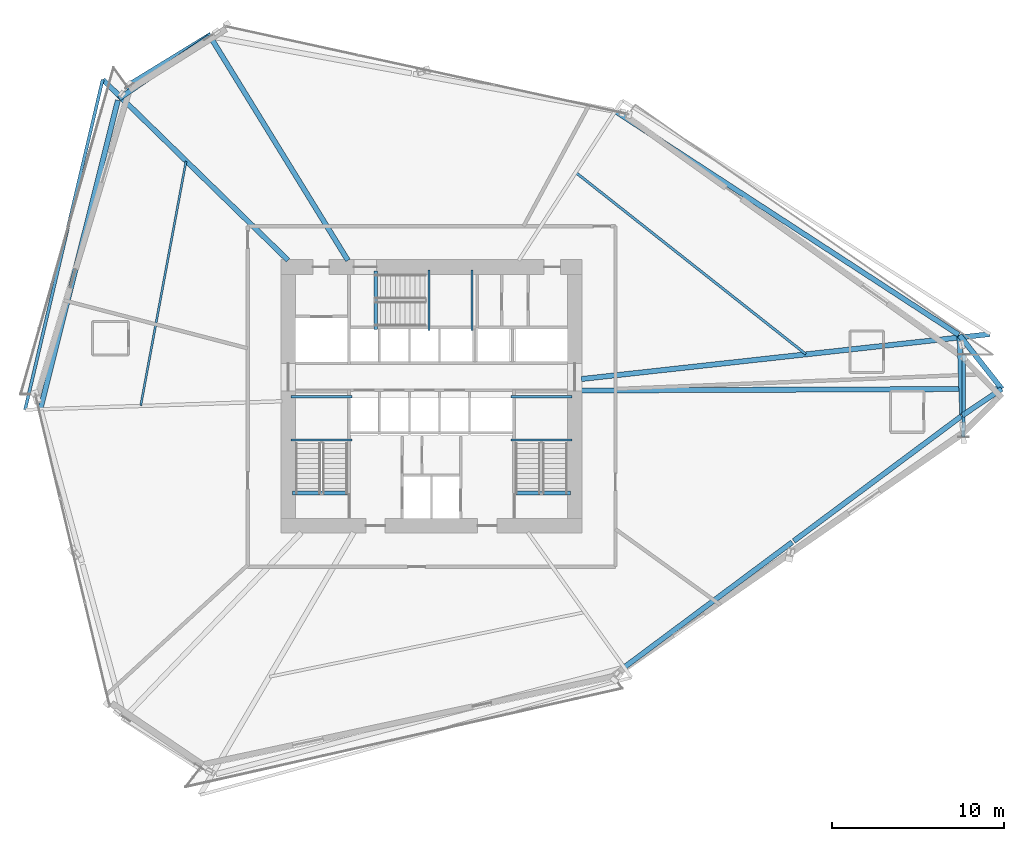
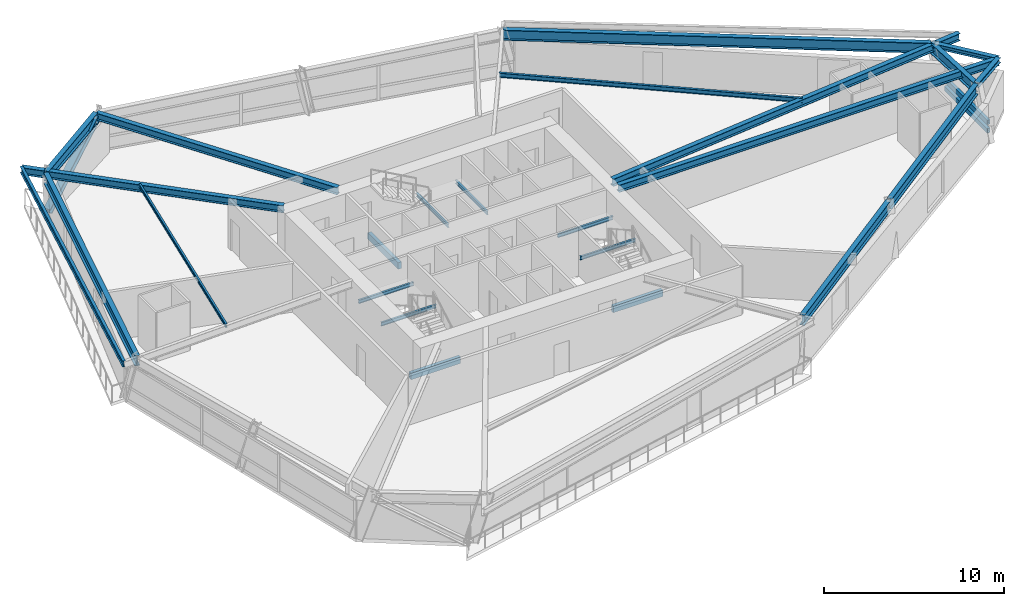
# One storey, part 7 of 21: 24 beams, 3 members.
"""IFC4 building model written with IfcOpenShell, lengths in metres."""

from ifc_helpers import new_model, si_unit, direction, frame, origin, origin_2d, place, context, subcontext, project, spatial, rectangle, hollow_rectangle, i_section, extrude, source, transform, mapped, material, material_profile, profile_set, type_object, element, save


model = new_model("IFC4")

# Units and contexts
model_context = context("Model", 3, precision=1e-05, world=origin(), true_north=direction((0.0, 1.0)))
body_context = subcontext(model_context, "Body", "Model", "MODEL_VIEW")
ifc_project = project(units=[si_unit("LENGTHUNIT", "METRE"), si_unit("AREAUNIT", "SQUARE_METRE"), si_unit("VOLUMEUNIT", "CUBIC_METRE"), si_unit("PLANEANGLEUNIT", "RADIAN"), si_unit("MASSUNIT", "GRAM", prefix="KILO")], contexts=[model_context])

# Site, building, storey
site_placement = place(None, origin())
site = spatial("IfcSite", under=ifc_project, at=site_placement, CompositionType="ELEMENT")
building_placement = place(site_placement, origin())
building = spatial("IfcBuilding", under=site, at=building_placement, Name="Olszyna Solenne Hotel", CompositionType="ELEMENT")
storey_placement = place(building_placement, frame((0.0, 0.0, 39.949951171875)))
storey = spatial("IfcBuildingStorey", under=building, at=storey_placement, Name="L09", CompositionType="ELEMENT", Elevation=39.949951171875)

# Members
ifc_material_1 = material(Name="Steel S355J2", Category="steel")
ifc_material_profile_1 = material_profile(ifc_material_1, hollow_rectangle(XDim=0.199951171875, YDim=0.300048828125, WallThickness=0.01611328125, at=origin_2d()), Name="RHS 300x200x16", Category="load-bearing")
ifc_profile_set_1 = profile_set([ifc_material_profile_1], Name="Steel S355J2")
member_type_1 = type_object("IfcMemberType", Name="CH-PR1", PredefinedType="CHORD", material=ifc_profile_set_1)
shared_shape_1 = source(origin(), body_context, "Body", "SweptSolid", [
    extrude(hollow_rectangle(XDim=0.199951171875, YDim=0.300048828125, WallThickness=0.01611328125, at=origin_2d()), origin(), (0.0, 0.0, 1.0), 4.78466796875),
])
for number, where, z_axis, x_axis, name in (
    (1, (68.934326171875, 24.244873046875, 1.35009765625), (0.00433713647, 0.999990594579, 0.0), (-0.999990594579, 0.00433713647, 0.0), "Glass-prism tie chord CH-PR1 M-L09-PR1"),
    (2, (68.934326171875, 24.244873046875, 0.780029296875), (0.00433713647, 0.999990594579, 0.0), (-0.999990594579, 0.00433713647, 0.0), "Glass-prism tie chord CH-PR1 M-L09-PR2"),
):
    element("IfcMember", number, at=place(storey_placement, frame(where, z_axis=z_axis, x_axis=x_axis)), inside=storey, type_object=member_type_1, Name=name, PredefinedType="CHORD", context=body_context, shape_type="MappedRepresentation", body=[
        mapped(shared_shape_1, transform((0.0, 0.0, 0.0), x_axis=(1.0, 0.0, 0.0), y_axis=(0.0, 1.0, 0.0), z_axis=(0.0, 0.0, 1.0), scale=1.0)),
    ])

# Beams
ifc_material_profile_2 = material_profile(ifc_material_1, i_section(OverallWidth=0.300048828125, OverallDepth=0.699951171875, WebThickness=0.01708984375, FlangeThickness=0.031982421875, at=origin_2d()), Name="HEB 700", Category="load-bearing")
ifc_profile_set_2 = profile_set([ifc_material_profile_2], Name="Steel S355J2")
beam_type_1 = type_object("IfcBeamType", Name="BM-S1", PredefinedType="BEAM", material=ifc_profile_set_2)
shared_shape_2 = source(origin(), body_context, "Body", "SweptSolid", [
    extrude(i_section(OverallWidth=0.300048828125, OverallDepth=0.699951171875, WebThickness=0.01708984375, FlangeThickness=0.031982421875, at=origin_2d()), origin(), (0.0, 0.0, 1.0), 4.549560546875),
])
beam_1_placement = place(storey_placement, frame((68.865478515625, 25.5458984375, 2.949951171875), z_axis=(-0.034075989072, 0.999419244846, 0.0), x_axis=(-0.999419244846, -0.034075989072, 0.0)))
element("IfcBeam", 3, at=beam_1_placement, inside=storey, type_object=beam_type_1, Name="Perimeter spandrel beam BM-S1 B-L09-0289", PredefinedType="BEAM", context=body_context, shape_type="MappedRepresentation", body=[
    mapped(shared_shape_2, transform((0.0, 0.0, 0.0), x_axis=(1.0, 0.0, 0.0), y_axis=(0.0, 1.0, 0.0), z_axis=(0.0, 0.0, 1.0), scale=1.0)),
])
shared_shape_3 = source(origin(), body_context, "Body", "SweptSolid", [
    extrude(i_section(OverallWidth=0.300048828125, OverallDepth=0.699951171875, WebThickness=0.01708984375, FlangeThickness=0.031982421875, at=origin_2d()), origin(), (0.0, 0.0, 1.0), 23.812744140625),
])
beam_2_placement = place(storey_placement, frame((68.658203125, 30.185546875, 2.949951171875), z_axis=(-0.838020325707, 0.545639014095, 0.0), x_axis=(-0.545639014095, -0.838020325707, 0.0)))
element("IfcBeam", 4, at=beam_2_placement, inside=storey, type_object=beam_type_1, Name="Perimeter spandrel beam BM-S1 B-L09-0290", PredefinedType="BEAM", context=body_context, shape_type="MappedRepresentation", body=[
    mapped(shared_shape_3, transform((0.0, 0.0, 0.0), x_axis=(1.0, 0.0, 0.0), y_axis=(0.0, 1.0, 0.0), z_axis=(0.0, 0.0, 1.0), scale=1.0)),
])
shared_shape_4 = source(origin(), body_context, "Body", "SweptSolid", [
    extrude(i_section(OverallWidth=0.300048828125, OverallDepth=0.699951171875, WebThickness=0.01708984375, FlangeThickness=0.031982421875, at=origin_2d()), origin(), (0.0, 0.0, 1.0), 6.35205078125),
])
beam_3_placement = place(storey_placement, frame((25.065185546875, 47.5078125, 2.949951171875), z_axis=(-0.825091310388, -0.564999406657, 0.0), x_axis=(0.564999406657, -0.825091310388, 0.0)))
element("IfcBeam", 5, at=beam_3_placement, inside=storey, type_object=beam_type_1, Name="Perimeter spandrel beam BM-S1 B-L09-0293", PredefinedType="BEAM", context=body_context, shape_type="MappedRepresentation", body=[
    mapped(shared_shape_4, transform((0.0, 0.0, 0.0), x_axis=(1.0, 0.0, 0.0), y_axis=(0.0, 1.0, 0.0), z_axis=(0.0, 0.0, 1.0), scale=1.0)),
])
shared_shape_5 = source(origin(), body_context, "Body", "SweptSolid", [
    extrude(i_section(OverallWidth=0.300048828125, OverallDepth=0.699951171875, WebThickness=0.01708984375, FlangeThickness=0.031982421875, at=origin_2d()), origin(), (0.0, 0.0, 1.0), 18.469482421875),
])
beam_4_placement = place(storey_placement, frame((19.760009765625, 43.826904296875, 2.949951171875), z_axis=(-0.243406396554, -0.969924391959, 0.0), x_axis=(0.969924391959, -0.243406396554, 0.0)))
element("IfcBeam", 6, at=beam_4_placement, inside=storey, type_object=beam_type_1, Name="Perimeter spandrel beam BM-S1 B-L09-0294", PredefinedType="BEAM", context=body_context, shape_type="MappedRepresentation", body=[
    mapped(shared_shape_5, transform((0.0, 0.0, 0.0), x_axis=(1.0, 0.0, 0.0), y_axis=(0.0, 1.0, 0.0), z_axis=(0.0, 0.0, 1.0), scale=1.0)),
])
shared_shape_6 = source(origin(), body_context, "Body", "SweptSolid", [
    extrude(i_section(OverallWidth=0.300048828125, OverallDepth=0.699951171875, WebThickness=0.01708984375, FlangeThickness=0.031982421875, at=origin_2d()), origin(), (0.0, 0.0, 1.0), 12.157958984375),
])
beam_5_placement = place(storey_placement, frame((49.222412109375, 10.853271484375, 2.949951171875), z_axis=(0.801976384632, 0.597355738646, 0.0), x_axis=(-0.597355738646, 0.801976384632, 0.0)))
element("IfcBeam", 7, at=beam_5_placement, inside=storey, type_object=beam_type_1, Name="Perimeter spandrel beam BM-S1 B-L09-0299", PredefinedType="BEAM", context=body_context, shape_type="MappedRepresentation", body=[
    mapped(shared_shape_6, transform((0.0, 0.0, 0.0), x_axis=(1.0, 0.0, 0.0), y_axis=(0.0, 1.0, 0.0), z_axis=(0.0, 0.0, 1.0), scale=1.0)),
])
shared_shape_7 = source(origin(), body_context, "Body", "SweptSolid", [
    extrude(i_section(OverallWidth=0.300048828125, OverallDepth=0.699951171875, WebThickness=0.01708984375, FlangeThickness=0.031982421875, at=origin_2d()), origin(), (0.0, 0.0, 1.0), 12.15771484375),
])
beam_6_placement = place(storey_placement, frame((59.069091796875, 18.1875, 2.949951171875), z_axis=(0.801978839164, 0.597352443314, 0.0), x_axis=(-0.597352443314, 0.801978839164, 0.0)))
element("IfcBeam", 8, at=beam_6_placement, inside=storey, type_object=beam_type_1, Name="Perimeter spandrel beam BM-S1 B-L09-0300", PredefinedType="BEAM", context=body_context, shape_type="MappedRepresentation", body=[
    mapped(shared_shape_7, transform((0.0, 0.0, 0.0), x_axis=(1.0, 0.0, 0.0), y_axis=(0.0, 1.0, 0.0), z_axis=(0.0, 0.0, 1.0), scale=1.0)),
])
ifc_material_profile_3 = material_profile(ifc_material_1, i_section(OverallWidth=0.300048828125, OverallDepth=0.489990234375, WebThickness=0.011962890625, FlangeThickness=0.02294921875, at=origin_2d()), Name="HEA 500", Category="load-bearing")
ifc_profile_set_3 = profile_set([ifc_material_profile_3], Name="Steel S355J2")
beam_type_2 = type_object("IfcBeamType", Name="BM-G1", PredefinedType="BEAM", material=ifc_profile_set_3)
shared_shape_8 = source(origin(), body_context, "Body", "SweptSolid", [
    extrude(i_section(OverallWidth=0.300048828125, OverallDepth=0.489990234375, WebThickness=0.011962890625, FlangeThickness=0.02294921875, at=origin_2d()), origin(), (0.0, 0.0, 1.0), 24.4462890625),
])
beam_7_placement = place(storey_placement, frame((71.14599609375, 27.03369140625, 3.054931640625), z_axis=(-0.999993356234, -0.003645200538, 0.0), x_axis=(0.003645200538, -0.999993356234, 0.0)))
element("IfcBeam", 9, at=beam_7_placement, inside=storey, type_object=beam_type_2, Name="Radial floor girder BM-G1 B-L09-0301", PredefinedType="BEAM", context=body_context, shape_type="MappedRepresentation", body=[
    mapped(shared_shape_8, transform((0.0, 0.0, 0.0), x_axis=(1.0, 0.0, 0.0), y_axis=(0.0, 1.0, 0.0), z_axis=(0.0, 0.0, 1.0), scale=1.0)),
])
shared_shape_9 = source(origin(), body_context, "Body", "SweptSolid", [
    extrude(i_section(OverallWidth=0.300048828125, OverallDepth=0.489990234375, WebThickness=0.011962890625, FlangeThickness=0.02294921875, at=origin_2d()), origin(), (0.0, 0.0, 1.0), 23.9111328125),
])
beam_8_placement = place(storey_placement, frame((70.468017578125, 30.2197265625, 3.054931640625), z_axis=(-0.994010823828, -0.109281664124, 0.0), x_axis=(0.109281664124, -0.994010823828, 0.0)))
element("IfcBeam", 10, at=beam_8_placement, inside=storey, type_object=beam_type_2, Name="Radial floor girder BM-G1 B-L09-0302", PredefinedType="BEAM", context=body_context, shape_type="MappedRepresentation", body=[
    mapped(shared_shape_9, transform((0.0, 0.0, 0.0), x_axis=(1.0, 0.0, 0.0), y_axis=(0.0, 1.0, 0.0), z_axis=(0.0, 0.0, 1.0), scale=1.0)),
])
shared_shape_10 = source(origin(), body_context, "Body", "SweptSolid", [
    extrude(i_section(OverallWidth=0.300048828125, OverallDepth=0.489990234375, WebThickness=0.011962890625, FlangeThickness=0.02294921875, at=origin_2d()), origin(), (0.0, 0.0, 1.0), 15.244140625),
])
beam_9_placement = place(storey_placement, frame((25.146240234375, 47.49072265625, 3.054931640625), z_axis=(0.524037555911, -0.851695156729, 0.0), x_axis=(0.851695156729, 0.524037555911, 0.0)))
element("IfcBeam", 11, at=beam_9_placement, inside=storey, type_object=beam_type_2, Name="Radial floor girder BM-G1 B-L09-0304", PredefinedType="BEAM", context=body_context, shape_type="MappedRepresentation", body=[
    mapped(shared_shape_10, transform((0.0, 0.0, 0.0), x_axis=(1.0, 0.0, 0.0), y_axis=(0.0, 1.0, 0.0), z_axis=(0.0, 0.0, 1.0), scale=1.0)),
])
shared_shape_11 = source(origin(), body_context, "Body", "SweptSolid", [
    extrude(i_section(OverallWidth=0.300048828125, OverallDepth=0.489990234375, WebThickness=0.011962890625, FlangeThickness=0.02294921875, at=origin_2d()), origin(), (0.0, 0.0, 1.0), 15.0341796875),
])
beam_10_placement = place(storey_placement, frame((18.887939453125, 45.009521484375, 3.054931640625), z_axis=(0.716094086616, -0.698003767263, 0.0), x_axis=(0.698003767263, 0.716094086616, 0.0)))
element("IfcBeam", 12, at=beam_10_placement, inside=storey, type_object=beam_type_2, Name="Radial floor girder BM-G1 B-L09-0305", PredefinedType="BEAM", context=body_context, shape_type="MappedRepresentation", body=[
    mapped(shared_shape_11, transform((0.0, 0.0, 0.0), x_axis=(1.0, 0.0, 0.0), y_axis=(0.0, 1.0, 0.0), z_axis=(0.0, 0.0, 1.0), scale=1.0)),
])
ifc_material_profile_4 = material_profile(ifc_material_1, i_section(OverallWidth=0.300048828125, OverallDepth=0.31005859375, WebThickness=0.009033203125, FlangeThickness=0.015380859375, at=origin_2d()), Name="HEA 320", Category="load-bearing")
ifc_profile_set_4 = profile_set([ifc_material_profile_4], Name="Steel S355J2")
beam_type_3 = type_object("IfcBeamType", Name="BM-G3", PredefinedType="BEAM", material=ifc_profile_set_4)
shared_shape_12 = source(origin(), body_context, "Body", "SweptSolid", [
    extrude(i_section(OverallWidth=0.300048828125, OverallDepth=0.31005859375, WebThickness=0.009033203125, FlangeThickness=0.015380859375, at=origin_2d()), origin(), (0.0, 0.0, 1.0), 2.771240234375),
])
beam_11_placement = place(storey_placement, frame((68.867431640625, 25.48583984375, 3.14501953125), z_axis=(0.82946608244, 0.558557085786, 0.0), x_axis=(-0.558557085786, 0.82946608244, 0.0)))
element("IfcBeam", 13, at=beam_11_placement, inside=storey, type_object=beam_type_3, Name="Prism side edge beam BM-G3 B-L09-0310", PredefinedType="BEAM", context=body_context, shape_type="MappedRepresentation", body=[
    mapped(shared_shape_12, transform((0.0, 0.0, 0.0), x_axis=(1.0, 0.0, 0.0), y_axis=(0.0, 1.0, 0.0), z_axis=(0.0, 0.0, 1.0), scale=1.0)),
])
shared_shape_13 = source(origin(), body_context, "Body", "SweptSolid", [
    extrude(i_section(OverallWidth=0.300048828125, OverallDepth=0.31005859375, WebThickness=0.009033203125, FlangeThickness=0.015380859375, at=origin_2d()), origin(), (0.0, 0.0, 1.0), 3.970947265625),
])
beam_12_placement = place(storey_placement, frame((68.70849609375, 30.15283203125, 3.14501953125), z_axis=(0.618874525632, -0.785489860866, 0.0), x_axis=(0.785489860866, 0.618874525632, 0.0)))
element("IfcBeam", 14, at=beam_12_placement, inside=storey, type_object=beam_type_3, Name="Prism side edge beam BM-G3 B-L09-0311", PredefinedType="BEAM", context=body_context, shape_type="MappedRepresentation", body=[
    mapped(shared_shape_13, transform((0.0, 0.0, 0.0), x_axis=(1.0, 0.0, 0.0), y_axis=(0.0, 1.0, 0.0), z_axis=(0.0, 0.0, 1.0), scale=1.0)),
])
ifc_material_profile_5 = material_profile(ifc_material_1, i_section(OverallWidth=0.14990234375, OverallDepth=0.300048828125, WebThickness=0.007080078125, FlangeThickness=0.0107421875, at=origin_2d()), Name="IPE 300", Category="load-bearing")
ifc_profile_set_5 = profile_set([ifc_material_profile_5], Name="Steel S355J2")
beam_type_4 = type_object("IfcBeamType", Name="JS-02", PredefinedType="JOIST", material=ifc_profile_set_5)
shared_shape_14 = source(origin(), body_context, "Body", "SweptSolid", [
    extrude(i_section(OverallWidth=0.14990234375, OverallDepth=0.300048828125, WebThickness=0.007080078125, FlangeThickness=0.0107421875, at=origin_2d()), origin(), (0.0, 0.0, 1.0), 17.03515625),
])
beam_13_placement = place(storey_placement, frame((59.767822265625, 29.057373046875, 3.150146484375), z_axis=(-0.784821131347, 0.619722350566, 0.0), x_axis=(-0.619722350566, -0.784821131347, 0.0)))
element("IfcBeam", 15, at=beam_13_placement, inside=storey, type_object=beam_type_4, Name="Secondary composite floor joist JS-02 B-L09-0312", PredefinedType="JOIST", context=body_context, shape_type="MappedRepresentation", body=[
    mapped(shared_shape_14, transform((0.0, 0.0, 0.0), x_axis=(1.0, 0.0, 0.0), y_axis=(0.0, 1.0, 0.0), z_axis=(0.0, 0.0, 1.0), scale=1.0)),
])
ifc_material_profile_6 = material_profile(ifc_material_1, i_section(OverallWidth=0.1201171875, OverallDepth=0.239990234375, WebThickness=0.006103515625, FlangeThickness=0.009765625, at=origin_2d()), Name="IPE 240", Category="load-bearing")
ifc_profile_set_6 = profile_set([ifc_material_profile_6], Name="Steel S355J2")
beam_type_5 = type_object("IfcBeamType", Name="JS-03", PredefinedType="JOIST", material=ifc_profile_set_6)
shared_shape_15 = source(origin(), body_context, "Body", "SweptSolid", [
    extrude(i_section(OverallWidth=0.1201171875, OverallDepth=0.239990234375, WebThickness=0.006103515625, FlangeThickness=0.009765625, at=origin_2d()), origin(), (0.0, 0.0, 1.0), 14.454833984375),
])
beam_14_placement = place(storey_placement, frame((23.72119140625, 40.275146484375, 3.179931640625), z_axis=(-0.182276143765, -0.983247378544, 0.0), x_axis=(0.983247378544, -0.182276143765, 0.0)))
element("IfcBeam", 16, at=beam_14_placement, inside=storey, type_object=beam_type_5, Name="Secondary composite floor joist JS-03 B-L09-0313", PredefinedType="JOIST", context=body_context, shape_type="MappedRepresentation", body=[
    mapped(shared_shape_15, transform((0.0, 0.0, 0.0), x_axis=(1.0, 0.0, 0.0), y_axis=(0.0, 1.0, 0.0), z_axis=(0.0, 0.0, 1.0), scale=1.0)),
])
ifc_material_profile_7 = material_profile(ifc_material_1, i_section(OverallWidth=0.179931640625, OverallDepth=0.39990234375, WebThickness=0.008544921875, FlangeThickness=0.013427734375, at=origin_2d()), Name="IPE 400", Category="load-bearing")
ifc_profile_set_7 = profile_set([ifc_material_profile_7], Name="Steel S355J2")
beam_type_6 = type_object("IfcBeamType", Name="BM-F5", PredefinedType="BEAM", material=ifc_profile_set_7)
shared_shape_16 = source(origin(), body_context, "Body", "SweptSolid", [
    extrude(i_section(OverallWidth=0.179931640625, OverallDepth=0.39990234375, WebThickness=0.008544921875, FlangeThickness=0.013427734375, at=origin_2d()), origin(), (0.0, 0.0, 1.0), 19.726806640625),
])
beam_15_placement = place(storey_placement, frame((18.87353515625, 45.0234375, 3.10009765625), z_axis=(-0.228810307699, -0.973471028378, 0.0), x_axis=(0.973471028378, -0.228810307699, 0.0)))
element("IfcBeam", 17, at=beam_15_placement, inside=storey, type_object=beam_type_6, Name="Loggia outer edge beam BM-F5 B-L09-0316", PredefinedType="BEAM", context=body_context, shape_type="MappedRepresentation", body=[
    mapped(shared_shape_16, transform((0.0, 0.0, 0.0), x_axis=(1.0, 0.0, 0.0), y_axis=(0.0, 1.0, 0.0), z_axis=(0.0, 0.0, 1.0), scale=1.0)),
])

# Member
ifc_material_2 = material(Name="Steel S460M", Category="steel")
ifc_material_profile_8 = material_profile(ifc_material_2, i_section(OverallWidth=0.412109375, OverallDepth=0.43505859375, WebThickness=0.031494140625, FlangeThickness=0.050048828125, at=origin_2d()), Name="HD 400x463", Category="load-bearing")
ifc_profile_set_8 = profile_set([ifc_material_profile_8], Name="Steel S460M")
member_type_2 = type_object("IfcMemberType", Name="BR-T1", PredefinedType="BRACE", material=ifc_profile_set_8)
shared_shape_17 = source(origin(), body_context, "Body", "SweptSolid", [
    extrude(i_section(OverallWidth=0.412109375, OverallDepth=0.43505859375, WebThickness=0.031494140625, FlangeThickness=0.050048828125, at=origin_2d()), origin(), (0.0, 0.0, 1.0), 6.329345703125),
])
member_placement = place(storey_placement, frame((20.32080078125, 44.6025390625, 0.010009765625), z_axis=(0.757420922555, 0.464381263324, 0.458981032669), x_axis=(-0.522689312559, 0.852523244573, 0.0)))
element("IfcMember", 18, at=member_placement, inside=storey, type_object=member_type_2, Name="Perimeter braced-tube diagonal BR-T1 BR-L09-2", PredefinedType="BRACE", context=body_context, shape_type="MappedRepresentation", body=[
    mapped(shared_shape_17, transform((0.0, 0.0, 0.0), x_axis=(1.0, 0.0, 0.0), y_axis=(0.0, 1.0, 0.0), z_axis=(0.0, 0.0, 1.0), scale=1.0)),
])

# Beams
shared_shape_18 = source(origin(), body_context, "Body", "SweptSolid", [
    extrude(i_section(OverallWidth=0.1201171875, OverallDepth=0.239990234375, WebThickness=0.006103515625, FlangeThickness=0.009765625, at=origin_2d()), origin(), (0.0, 0.0, 1.0), 3.539794921875),
])
for number, where, z_axis, x_axis, name in (
    (19, (33.3798828125, 24.070068359375, 1.449951171875), (-1.0, 0.0, 0.0), (0.0, -1.0, 0.0), "Stair landing support beam JS-03 SLB-ST1-0023"),
    (20, (33.3798828125, 26.580078125, 1.449951171875), (-1.0, 0.0, 0.0), (0.0, -1.0, 0.0), "Stair landing support beam JS-03 SLB-ST1-0024"),
    (21, (46.159912109375, 24.070068359375, 1.449951171875), (-1.0, 0.0, 0.0), (0.0, -1.0, 0.0), "Stair landing support beam JS-03 SLB-ST2-0263"),
    (22, (46.159912109375, 26.580078125, 1.449951171875), (-1.0, 0.0, 0.0), (0.0, -1.0, 0.0), "Stair landing support beam JS-03 SLB-ST2-0264"),
):
    element("IfcBeam", number, at=place(storey_placement, frame(where, z_axis=z_axis, x_axis=x_axis)), inside=storey, type_object=beam_type_5, Name=name, PredefinedType="JOIST", context=body_context, shape_type="MappedRepresentation", body=[
        mapped(shared_shape_18, transform((0.0, 0.0, 0.0), x_axis=(1.0, 0.0, 0.0), y_axis=(0.0, 1.0, 0.0), z_axis=(0.0, 0.0, 1.0), scale=1.0)),
    ])
ifc_material_3 = material(Name="Concrete C50/60", Category="concrete")
ifc_material_profile_9 = material_profile(ifc_material_3, rectangle(XDim=0.219970703125, YDim=0.43994140625, at=origin_2d()), Name="RC 220x440", Category="load-bearing")
ifc_profile_set_9 = profile_set([ifc_material_profile_9], Name="Concrete C50/60")
beam_type_7 = type_object("IfcBeamType", Name="BM-ST1", PredefinedType="BEAM", material=ifc_profile_set_9)
shared_shape_19 = source(origin(), body_context, "Body", "SweptSolid", [
    extrude(rectangle(XDim=0.219970703125, YDim=0.43994140625, at=origin_2d()), origin(), (0.0, 0.0, 1.0), 3.18017578125),
])
for number, where, z_axis, x_axis, name in (
    (23, (33.10009765625, 20.97998046875, -0.204833984375), (-1.0, 0.0, 0.0), (0.0, -1.0, 0.0), "Concrete stair trimmer beam BM-ST1 SHB-ST1-0171"),
    (24, (46.080078125, 20.97998046875, -0.204833984375), (-1.0, 0.0, 0.0), (0.0, -1.0, 0.0), "Concrete stair trimmer beam BM-ST1 SHB-ST2-0411"),
):
    element("IfcBeam", number, at=place(storey_placement, frame(where, z_axis=z_axis, x_axis=x_axis)), inside=storey, type_object=beam_type_7, Name=name, PredefinedType="BEAM", context=body_context, shape_type="MappedRepresentation", body=[
        mapped(shared_shape_19, transform((0.0, 0.0, 0.0), x_axis=(1.0, 0.0, 0.0), y_axis=(0.0, 1.0, 0.0), z_axis=(0.0, 0.0, 1.0), scale=1.0)),
    ])
shared_shape_20 = source(origin(), body_context, "Body", "SweptSolid", [
    extrude(i_section(OverallWidth=0.1201171875, OverallDepth=0.239990234375, WebThickness=0.006103515625, FlangeThickness=0.009765625, at=origin_2d()), origin(), (0.0, 0.0, 1.0), 3.5400390625),
])
for number, where, z_axis, x_axis, name in (
    (25, (37.85009765625, 30.419921875, 1.449951171875), (0.0, 1.0, 0.0), (-1.0, 0.0, 0.0), "Stair landing support beam JS-03 SLB-ST3-0503"),
    (26, (40.360107421875, 30.419921875, 1.449951171875), (0.0, 1.0, 0.0), (-1.0, 0.0, 0.0), "Stair landing support beam JS-03 SLB-ST3-0504"),
):
    element("IfcBeam", number, at=place(storey_placement, frame(where, z_axis=z_axis, x_axis=x_axis)), inside=storey, type_object=beam_type_5, Name=name, PredefinedType="JOIST", context=body_context, shape_type="MappedRepresentation", body=[
        mapped(shared_shape_20, transform((0.0, 0.0, 0.0), x_axis=(1.0, 0.0, 0.0), y_axis=(0.0, 1.0, 0.0), z_axis=(0.0, 0.0, 1.0), scale=1.0)),
    ])
shared_shape_21 = source(origin(), body_context, "Body", "SweptSolid", [
    extrude(rectangle(XDim=0.219970703125, YDim=0.43994140625, at=origin_2d()), origin(), (0.0, 0.0, 1.0), 3.3798828125),
])
beam_16_placement = place(storey_placement, frame((34.760009765625, 30.5, -0.204833984375), z_axis=(0.0, 1.0, 0.0), x_axis=(-1.0, 0.0, 0.0)))
element("IfcBeam", 27, at=beam_16_placement, inside=storey, type_object=beam_type_7, Name="Concrete stair trimmer beam BM-ST1 SHB-ST3-0649", PredefinedType="BEAM", context=body_context, shape_type="MappedRepresentation", body=[
    mapped(shared_shape_21, transform((0.0, 0.0, 0.0), x_axis=(1.0, 0.0, 0.0), y_axis=(0.0, 1.0, 0.0), z_axis=(0.0, 0.0, 1.0), scale=1.0)),
])

save(model, "model.ifc")
